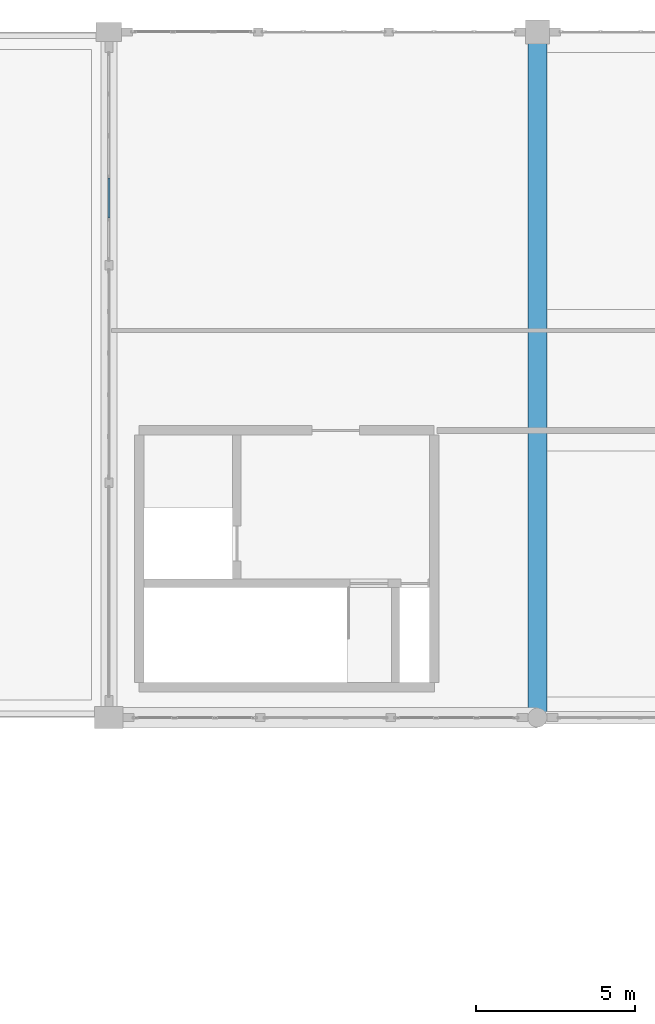
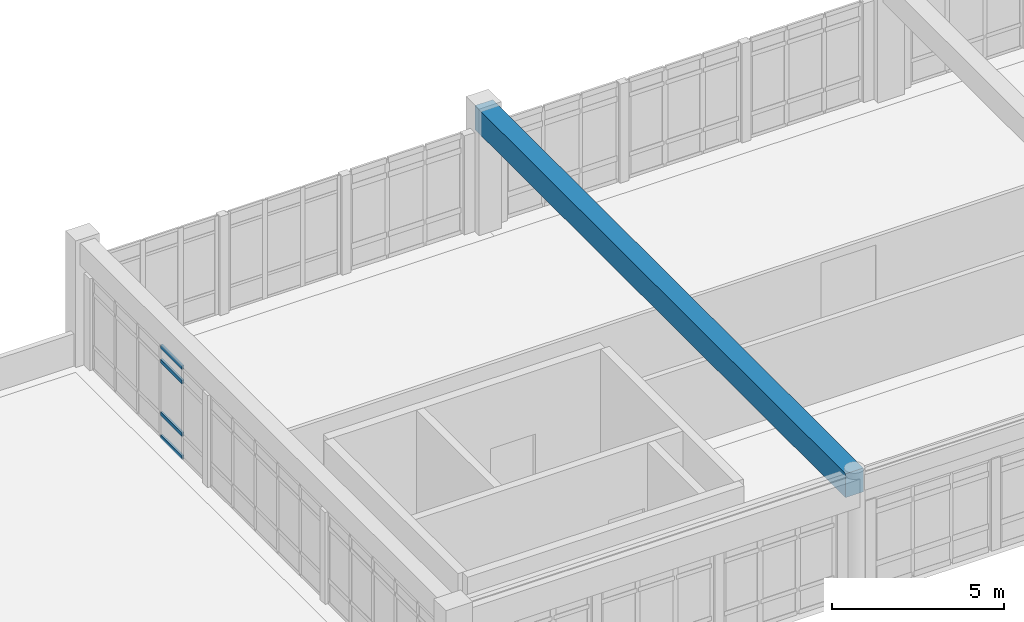
# One storey, part 44 of 109: 4 members, 1 beam, 1 element without a shape of its own.
"""IFC4 building model written with IfcOpenShell, lengths in metres."""

from ifc_helpers import new_model, si_unit, direction, frame, origin, origin_2d, place, context, subcontext, project, spatial, rectangle, hollow_rectangle, extrude, material, layer, layer_set, material_profile, profile_set, type_object, element, aggregate, save


model = new_model("IFC4")

# Units and contexts
model_context = context("Model", 3, precision=1e-05, world=origin(), true_north=direction((0.0, 1.0)))
body_context = subcontext(model_context, "Body", "Model", "MODEL_VIEW")
ifc_project = project(units=[si_unit("LENGTHUNIT", "METRE"), si_unit("AREAUNIT", "SQUARE_METRE"), si_unit("VOLUMEUNIT", "CUBIC_METRE"), si_unit("PLANEANGLEUNIT", "RADIAN"), si_unit("MASSUNIT", "GRAM", prefix="KILO")], contexts=[model_context])

# Site, building, storey
site_placement = place(None, origin())
site = spatial("IfcSite", under=ifc_project, at=site_placement, CompositionType="ELEMENT")
building_placement = place(site_placement, origin())
building = spatial("IfcBuilding", under=site, at=building_placement, Name="Fikremerkos Civic Library", CompositionType="ELEMENT")
storey_placement = place(building_placement, frame((0.0, 0.0, 5.39990234375)))
storey = spatial("IfcBuildingStorey", under=building, at=storey_placement, Name="L01", CompositionType="ELEMENT", Elevation=5.39990234375)

# Curtain wall, members
ifc_material_1 = material(Name="Anodized aluminium Frame", Category="aluminium")
ifc_layer = layer(ifc_material_1, 0.159912109375, Name="Anodized aluminium Frame")
ifc_layer_set = layer_set([ifc_layer], Name="Anodized aluminium Frame")
curtain_wall_type = type_object("IfcCurtainWallType", Name="Unitised curtain wall CW-04 3400x3600", PredefinedType="USERDEFINED", material=ifc_layer_set)
curtain_wall_placement = place(storey_placement, origin())
curtain_wall = element("IfcCurtainWall", 1, at=curtain_wall_placement, inside=storey, type_object=curtain_wall_type, Name="Unitised curtain wall CW-04 L01 #130", ObjectType="UNITISED CURTAIN WALL", PredefinedType="USERDEFINED")
ifc_material_profile_1 = material_profile(ifc_material_1, hollow_rectangle(XDim=0.06494140625, YDim=0.135009765625, WallThickness=0.00439453125, at=origin_2d()), Name="ALU 135x65x4.5")
ifc_profile_set_1 = profile_set([ifc_material_profile_1], Name="Anodized aluminium Frame")
member_type = type_object("IfcMemberType", Name="Curtain transom CWT-02 ALU 135x65x4.5", PredefinedType="USERDEFINED", material=ifc_profile_set_1)
member_1_placement = place(storey_placement, frame((73.199951171875, 111.740966796875, 0.03271484375), z_axis=(0.0, 1.0, 0.0), x_axis=(-1.0, 0.0, 0.0)))
member_1 = element("IfcMember", 2, at=member_1_placement, type_object=member_type, Name="CW-04 transom 2.1", ObjectType="TRANSOM", PredefinedType="USERDEFINED", context=body_context, shape_type="SweptSolid", body=[
    extrude(hollow_rectangle(XDim=0.06494140625, YDim=0.135009765625, WallThickness=0.00439453125, at=origin_2d()), origin(), (0.0, 0.0, 1.0), 1.250244140625),
])
member_2_placement = place(storey_placement, frame((73.199951171875, 111.740966796875, 0.85009765625), z_axis=(0.0, 1.0, 0.0), x_axis=(-1.0, 0.0, 0.0)))
member_2 = element("IfcMember", 3, at=member_2_placement, type_object=member_type, Name="CW-04 transom 2.2", ObjectType="TRANSOM", PredefinedType="USERDEFINED", context=body_context, shape_type="SweptSolid", body=[
    extrude(hollow_rectangle(XDim=0.06494140625, YDim=0.135009765625, WallThickness=0.00439453125, at=origin_2d()), origin(), (0.0, 0.0, 1.0), 1.250244140625),
])
member_3_placement = place(storey_placement, frame((73.199951171875, 111.740966796875, 2.72021484375), z_axis=(0.0, 1.0, 0.0), x_axis=(-1.0, 0.0, 0.0)))
member_3 = element("IfcMember", 4, at=member_3_placement, type_object=member_type, Name="CW-04 transom 2.3", ObjectType="TRANSOM", PredefinedType="USERDEFINED", context=body_context, shape_type="SweptSolid", body=[
    extrude(hollow_rectangle(XDim=0.06494140625, YDim=0.135009765625, WallThickness=0.00439453125, at=origin_2d()), origin(), (0.0, 0.0, 1.0), 1.250244140625),
])
member_4_placement = place(storey_placement, frame((73.199951171875, 111.740966796875, 3.237548828125), z_axis=(0.0, 1.0, 0.0), x_axis=(-1.0, 0.0, 0.0)))
member_4 = element("IfcMember", 5, at=member_4_placement, type_object=member_type, Name="CW-04 transom 2.4", ObjectType="TRANSOM", PredefinedType="USERDEFINED", context=body_context, shape_type="SweptSolid", body=[
    extrude(hollow_rectangle(XDim=0.06494140625, YDim=0.135009765625, WallThickness=0.00439453125, at=origin_2d()), origin(), (0.0, 0.0, 1.0), 1.250244140625),
])
aggregate(curtain_wall, [member_1, member_2, member_3, member_4])

# Beam
ifc_material_2 = material(Name="Concrete C40/50", Category="concrete")
ifc_material_profile_2 = material_profile(ifc_material_2, rectangle(XDim=0.60009765625, YDim=0.85009765625, at=origin_2d()), Name="RC 600x850")
ifc_profile_set_2 = profile_set([ifc_material_profile_2], Name="Concrete C40/50")
beam_type = type_object("IfcBeamType", Name="Primary girder BM-24 RC 600x850", PredefinedType="BEAM", material=ifc_profile_set_2)
beam_placement = place(storey_placement, frame((86.699951171875, 96.0, 3.952392578125), z_axis=(0.0, 1.0, 0.0), x_axis=(-1.0, 0.0, 0.0)))
element("IfcBeam", 6, at=beam_placement, inside=storey, type_object=beam_type, Name="Primary girder BM-24 L01 grid 8", PredefinedType="BEAM", context=body_context, shape_type="SweptSolid", body=[
    extrude(rectangle(XDim=0.60009765625, YDim=0.85009765625, at=origin_2d()), origin(), (0.0, 0.0, 1.0), 21.60009765625),
])

save(model, "model.ifc")
